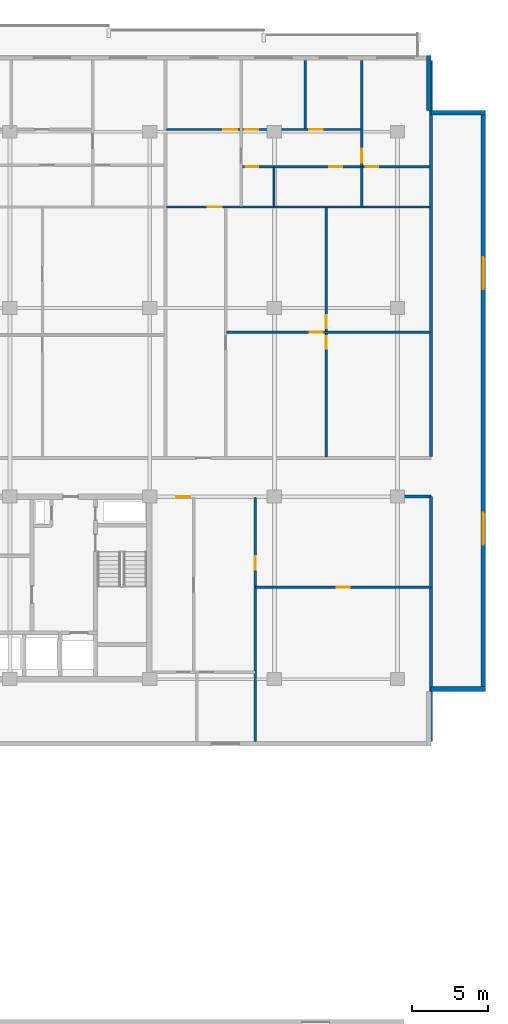
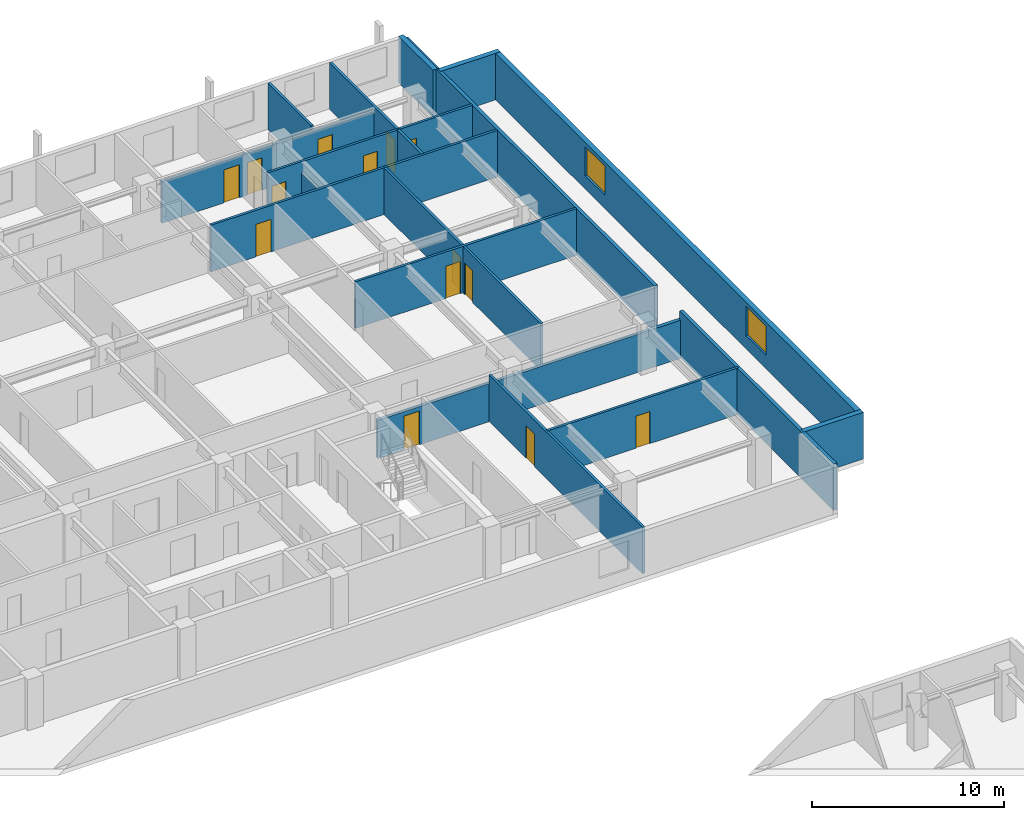
# One storey, part 16 of 22: 18 walls, 14 doors, 2 windows, 16 openings.
"""IFC4 building model written with IfcOpenShell, lengths in metres."""

from ifc_helpers import new_model, si_unit, direction, frame, frame_2d, origin, place, context, subcontext, project, spatial, rectangle, extrude, material, layer, layer_set, type_object, element, fill, save


model = new_model("IFC4")

# Units and contexts
model_context = context("Model", 3, precision=1e-05, world=origin(), true_north=direction((0.0, 1.0)))
body_context = subcontext(model_context, "Body", "Model", "MODEL_VIEW")
ifc_project = project(units=[si_unit("LENGTHUNIT", "METRE"), si_unit("AREAUNIT", "SQUARE_METRE"), si_unit("VOLUMEUNIT", "CUBIC_METRE"), si_unit("PLANEANGLEUNIT", "RADIAN"), si_unit("MASSUNIT", "GRAM", prefix="KILO")], contexts=[model_context])

# Site, building, storey
site_placement = place(None, origin())
site = spatial("IfcSite", under=ifc_project, at=site_placement, CompositionType="ELEMENT")
building_placement = place(site_placement, origin())
building = spatial("IfcBuilding", under=site, at=building_placement, Name="Korimba Cascade Residences", CompositionType="ELEMENT")
storey_placement = place(building_placement, frame((0.0, 0.0, 126.300048828125)))
storey = spatial("IfcBuildingStorey", under=building, at=storey_placement, Name="L36", CompositionType="ELEMENT", Elevation=126.300048828125)

# Wall
ifc_material_1 = material(Name="Precast concrete C40/50", Category="concrete")
ifc_layer_1 = layer(ifc_material_1, 0.300048828125)
ifc_layer_set_1 = layer_set([ifc_layer_1], Name="Precast concrete C40/50")
wall_type_1 = type_object("IfcWallType", Name="EW-STONE-300", PredefinedType="STANDARD", material=ifc_layer_set_1)
wall_1_placement = place(storey_placement, frame((130.60009765625, 54.550048828125, 0.0), z_axis=(0.0, 0.0, 1.0), x_axis=(1.0, 0.0, 0.0)))
element("IfcWall", 1, at=wall_1_placement, inside=storey, type_object=wall_type_1, Name="L36 T1 Perimeter Stone Wall E02", PredefinedType="STANDARD", context=body_context, shape_type="SweptSolid", body=[
    extrude(rectangle(XDim=3.599853515625, YDim=0.300048828125, at=frame_2d((1.7998046875, 0.0))), origin(), (0.0, 0.0, 1.0), 2.969970703125),
])

# Wall, openings, windows
wall_2_placement = place(storey_placement, frame((134.050048828125, 54.39990234375, 0.0), z_axis=(0.0, 0.0, 1.0), x_axis=(0.0, 1.0, 0.0)))
wall_2 = element("IfcWall", 2, at=wall_2_placement, inside=storey, type_object=wall_type_1, Name="L36 T1 Perimeter Stone Wall E03", PredefinedType="STANDARD", context=body_context, shape_type="SweptSolid", body=[
    extrude(rectangle(XDim=38.2001953125, YDim=0.300048828125, at=frame_2d((19.10009765625, 0.0))), origin(), (0.0, 0.0, 1.0), 2.969970703125),
])
opening_1_placement = place(wall_2_placement, frame((9.64599609375, 0.0, 0.85009765625)))
opening_1 = element("IfcOpeningElement", 3, at=opening_1_placement, cuts=wall_2, Name="Opening W-03", PredefinedType="OPENING", context=body_context, shape_type="SweptSolid", body=[
    extrude(rectangle(XDim=2.10009765625, YDim=1.85009765625, at=frame_2d((1.050048828125, 0.925048828125))), frame((0.0, 0.16015625, 0.0), z_axis=(0.0, -1.0, 0.0), x_axis=(1.0, 0.0, 0.0)), (0.0, 0.0, 1.0), 0.320068359375),
])
opening_2_placement = place(wall_2_placement, frame((26.4541015625, 0.0, 0.85009765625)))
opening_2 = element("IfcOpeningElement", 4, at=opening_2_placement, cuts=wall_2, Name="Opening W-03", PredefinedType="OPENING", context=body_context, shape_type="SweptSolid", body=[
    extrude(rectangle(XDim=2.10009765625, YDim=1.85009765625, at=frame_2d((1.050048828125, 0.925048828125))), frame((0.0, 0.16015625, 0.0), z_axis=(0.0, -1.0, 0.0), x_axis=(1.0, 0.0, 0.0)), (0.0, 0.0, 1.0), 0.320068359375),
])
ifc_material_2 = material(Name="Double-Glazed Aluminium Window", Category="aluminium")
window_type = type_object("IfcWindowType", Name="WIN-CRN-2100", PartitioningType="DOUBLE_PANEL_HORIZONTAL", PredefinedType="WINDOW", material=ifc_material_2)
window_1_placement = place(opening_1_placement, origin())
window_1 = element("IfcWindow", 5, at=window_1_placement, inside=storey, type_object=window_type, Name="L36 T1 End View Window 3.1", OverallHeight=1.85009765625, OverallWidth=2.10009765625, PartitioningType="DOUBLE_PANEL_HORIZONTAL", PredefinedType="WINDOW", context=body_context, shape_type="SweptSolid", body=[
    extrude(rectangle(XDim=2.10009765625, YDim=1.85009765625, at=frame_2d((1.050048828125, 0.925048828125))), frame((0.0, 0.030029296875, 0.0), z_axis=(0.0, -1.0, 0.0), x_axis=(1.0, 0.0, 0.0)), (0.0, 0.0, 1.0), 0.06005859375),
])
fill(opening_1, window_1)
window_2_placement = place(opening_2_placement, origin())
window_2 = element("IfcWindow", 6, at=window_2_placement, inside=storey, type_object=window_type, Name="L36 T1 End View Window 3.2", OverallHeight=1.85009765625, OverallWidth=2.10009765625, PartitioningType="DOUBLE_PANEL_HORIZONTAL", PredefinedType="WINDOW", context=body_context, shape_type="SweptSolid", body=[
    extrude(rectangle(XDim=2.10009765625, YDim=1.85009765625, at=frame_2d((1.050048828125, 0.925048828125))), frame((0.0, 0.030029296875, 0.0), z_axis=(0.0, -1.0, 0.0), x_axis=(1.0, 0.0, 0.0)), (0.0, 0.0, 1.0), 0.06005859375),
])
fill(opening_2, window_2)

# Walls
for number, where, z_axis, x_axis, name in (
    (7, (134.199951171875, 92.449951171875, 0.0), (0.0, 0.0, 1.0), (-1.0, 0.0, 0.0), "L36 T1 Perimeter Stone Wall E04"),
    (8, (130.449951171875, 92.60009765625, 0.0), (0.0, 0.0, 1.0), (0.0, 1.0, 0.0), "L36 T1 Perimeter Stone Wall E05"),
):
    element("IfcWall", number, at=place(storey_placement, frame(where, z_axis=z_axis, x_axis=x_axis)), inside=storey, type_object=wall_type_1, Name=name, PredefinedType="STANDARD", context=body_context, shape_type="SweptSolid", body=[
        extrude(rectangle(XDim=3.599853515625, YDim=0.300048828125, at=frame_2d((1.7998046875, 0.0))), origin(), (0.0, 0.0, 1.0), 2.969970703125),
    ])
ifc_layer_2 = layer(ifc_material_1, 0.199951171875)
ifc_layer_set_2 = layer_set([ifc_layer_2], Name="Precast concrete C40/50")
wall_type_2 = type_object("IfcWallType", Name="WAL-IT-200", PredefinedType="PARTITIONING", material=ifc_layer_set_2)
wall_3_placement = place(storey_placement, frame((130.60009765625, 51.10009765625, 0.0), z_axis=(0.0, 0.0, 1.0), x_axis=(0.0, 1.0, 0.0)))
element("IfcWall", 9, at=wall_3_placement, inside=storey, type_object=wall_type_2, Name="L36 Partition Wall WAL-L36-T1-FE-WR", PredefinedType="PARTITIONING", context=body_context, shape_type="SweptSolid", body=[
    extrude(rectangle(XDim=16.099853515625, YDim=0.199951171875, at=frame_2d((8.0498046875, 0.0))), origin(), (0.0, 0.0, 1.0), 2.969970703125),
])

# Wall, opening, door
wall_4_placement = place(storey_placement, frame((112.25, 67.199951171875, 0.0), z_axis=(0.0, 0.0, 1.0), x_axis=(1.0, 0.0, 0.0)))
wall_4 = element("IfcWall", 10, at=wall_4_placement, inside=storey, type_object=wall_type_2, Name="L36 Partition Wall WAL-L36-T1-FE-N", PredefinedType="PARTITIONING", context=body_context, shape_type="SweptSolid", body=[
    extrude(rectangle(XDim=18.35009765625, YDim=0.199951171875, at=frame_2d((9.175048828125, 0.0))), origin(), (0.0, 0.0, 1.0), 2.433349609375),
])
opening_3_placement = place(wall_4_placement, frame((1.580078125, 0.0, 0.0)))
opening_3 = element("IfcOpeningElement", 11, at=opening_3_placement, cuts=wall_4, Name="Opening D-UN1", PredefinedType="OPENING", context=body_context, shape_type="SweptSolid", body=[
    extrude(rectangle(XDim=0.949951171875, YDim=2.14990234375, at=frame_2d((0.47509765625, 1.074951171875))), frame((0.0, 0.10986328125, 0.0), z_axis=(0.0, -1.0, 0.0), x_axis=(1.0, 0.0, 0.0)), (0.0, 0.0, 1.0), 0.219970703125),
])
ifc_material_3 = material(Name="Fire-Rated Hardwood Apartment Entrance Door", Category="wood")
door_type_1 = type_object("IfcDoorType", Name="DR-FD60-950", OperationType="NOTDEFINED", PredefinedType="DOOR", material=ifc_material_3)
door_1_placement = place(opening_3_placement, origin())
door_1 = element("IfcDoor", 12, at=door_1_placement, inside=storey, type_object=door_type_1, Name="L36-T1-FE Entrance Door", OperationType="SINGLE_SWING_RIGHT", OverallHeight=2.14990234375, OverallWidth=0.949951171875, PredefinedType="DOOR", context=body_context, shape_type="SweptSolid", body=[
    extrude(rectangle(XDim=0.949951171875, YDim=2.14990234375, at=frame_2d((0.47509765625, 1.074951171875))), frame((0.0, 0.02490234375, 0.0), z_axis=(0.0, -1.0, 0.0), x_axis=(1.0, 0.0, 0.0)), (0.0, 0.0, 1.0), 0.050048828125),
])
fill(opening_3, door_1)

# Wall
wall_5_placement = place(storey_placement, frame((130.60009765625, 69.830078125, 0.0), z_axis=(0.0, 0.0, 1.0), x_axis=(0.0, 1.0, 0.0)))
element("IfcWall", 13, at=wall_5_placement, inside=storey, type_object=wall_type_2, Name="L36 Partition Wall WAL-L36-T1-BNDWR", PredefinedType="PARTITIONING", context=body_context, shape_type="SweptSolid", body=[
    extrude(rectangle(XDim=26.06982421875, YDim=0.199951171875, at=frame_2d((13.034912109375, 0.0))), origin(), (0.0, 0.0, 1.0), 2.969970703125),
])

# Wall, opening, door
ifc_material_4 = material(Name="Insulated Acoustic Stud Partition", Category="gypsum")
ifc_layer_3 = layer(ifc_material_4, 0.14990234375)
ifc_layer_set_3 = layer_set([ifc_layer_3], Name="Insulated Acoustic Stud Partition")
wall_type_3 = type_object("IfcWallType", Name="WAL-PART-150", PredefinedType="PARTITIONING", material=ifc_layer_set_3)
wall_6_placement = place(storey_placement, frame((119.050048828125, 61.25, 0.0), z_axis=(0.0, 0.0, 1.0), x_axis=(1.0, 0.0, 0.0)))
wall_6 = element("IfcWall", 14, at=wall_6_placement, inside=storey, type_object=wall_type_3, Name="L36 Partition Wall WAL-L36-T1-FE-STH", PredefinedType="PARTITIONING", context=body_context, shape_type="SweptSolid", body=[
    extrude(rectangle(XDim=11.550048828125, YDim=0.14990234375, at=frame_2d((5.77490234375, 0.0))), origin(), (0.0, 0.0, 1.0), 2.969970703125),
])
opening_4_placement = place(wall_6_placement, frame((5.35498046875, 0.0, 0.0)))
opening_4 = element("IfcOpeningElement", 15, at=opening_4_placement, cuts=wall_6, Name="Opening D-BT1", PredefinedType="OPENING", context=body_context, shape_type="SweptSolid", body=[
    extrude(rectangle(XDim=0.840087890625, YDim=2.0400390625, at=frame_2d((0.419921875, 1.02001953125))), frame((0.0, 0.0849609375, 0.0), z_axis=(0.0, -1.0, 0.0), x_axis=(1.0, 0.0, 0.0)), (0.0, 0.0, 1.0), 0.169921875),
])
ifc_material_5 = material(Name="Moisture-Resistant Bathroom Timber Door", Category="wood")
door_type_2 = type_object("IfcDoorType", Name="DR-INT-850", OperationType="NOTDEFINED", PredefinedType="DOOR", material=ifc_material_5)
door_2_placement = place(opening_4_placement, origin())
door_2 = element("IfcDoor", 16, at=door_2_placement, inside=storey, type_object=door_type_2, Name="L36-T1-FE Dressing Store Door", OperationType="SINGLE_SWING_LEFT", OverallHeight=2.0400390625, OverallWidth=0.840087890625, PredefinedType="DOOR", context=body_context, shape_type="SweptSolid", body=[
    extrude(rectangle(XDim=0.840087890625, YDim=2.0400390625, at=frame_2d((0.419921875, 1.02001953125))), frame((0.0, 0.02490234375, 0.0), z_axis=(0.0, -1.0, 0.0), x_axis=(1.0, 0.0, 0.0)), (0.0, 0.0, 1.0), 0.050048828125),
])
fill(opening_4, door_2)

wall_7_placement = place(storey_placement, frame((119.050048828125, 51.10009765625, 0.0), z_axis=(0.0, 0.0, 1.0), x_axis=(0.0, 1.0, 0.0)))
wall_7 = element("IfcWall", 17, at=wall_7_placement, inside=storey, type_object=wall_type_3, Name="L36 Partition Wall WAL-L36-T1-FE-STV", PredefinedType="PARTITIONING", context=body_context, shape_type="SweptSolid", body=[
    extrude(rectangle(XDim=16.0498046875, YDim=0.14990234375, at=frame_2d((8.02490234375, 0.0))), origin(), (0.0, 0.0, 1.0), 2.969970703125),
])
opening_5_placement = place(wall_7_placement, frame((11.300048828125, 0.0, 0.0)))
opening_5 = element("IfcOpeningElement", 18, at=opening_5_placement, cuts=wall_7, Name="Opening D-IN2", PredefinedType="OPENING", context=body_context, shape_type="SweptSolid", body=[
    extrude(rectangle(XDim=0.8798828125, YDim=2.06005859375, at=frame_2d((0.43994140625, 1.030029296875))), frame((0.0, 0.0849609375, 0.0), z_axis=(0.0, -1.0, 0.0), x_axis=(1.0, 0.0, 0.0)), (0.0, 0.0, 1.0), 0.169921875),
])
ifc_material_6 = material(Name="Acoustic Timber Bedroom Door", Category="wood")
door_type_3 = type_object("IfcDoorType", Name="DR-INT-880", OperationType="NOTDEFINED", PredefinedType="DOOR", material=ifc_material_6)
door_3_placement = place(opening_5_placement, origin())
door_3 = element("IfcDoor", 19, at=door_3_placement, inside=storey, type_object=door_type_3, Name="L36-T1-FE Study Door", OperationType="SINGLE_SWING_RIGHT", OverallHeight=2.06005859375, OverallWidth=0.8798828125, PredefinedType="DOOR", context=body_context, shape_type="SweptSolid", body=[
    extrude(rectangle(XDim=0.8798828125, YDim=2.06005859375, at=frame_2d((0.43994140625, 1.030029296875))), frame((0.0, 0.02490234375, 0.0), z_axis=(0.0, -1.0, 0.0), x_axis=(1.0, 0.0, 0.0)), (0.0, 0.0, 1.0), 0.050048828125),
])
fill(opening_5, door_3)

# Wall, openings, doors
wall_8_placement = place(storey_placement, frame((123.717529296875, 69.81005859375, 0.0), z_axis=(0.0, 0.0, 1.0), x_axis=(0.0, 1.0, 0.0)))
wall_8 = element("IfcWall", 20, at=wall_8_placement, inside=storey, type_object=wall_type_3, Name="L36 Partition Wall WAL-L36-T1-U04-FMV", PredefinedType="PARTITIONING", context=body_context, shape_type="SweptSolid", body=[
    extrude(rectangle(XDim=16.39990234375, YDim=0.14990234375, at=frame_2d((8.199951171875, 0.0))), origin(), (0.0, 0.0, 1.0), 2.969970703125),
])
opening_6_placement = place(wall_8_placement, frame((7.110107421875, 0.0, 0.0)))
opening_6 = element("IfcOpeningElement", 21, at=opening_6_placement, cuts=wall_8, Name="Opening D-BT1", PredefinedType="OPENING", context=body_context, shape_type="SweptSolid", body=[
    extrude(rectangle(XDim=0.840087890625, YDim=2.0400390625, at=frame_2d((0.419921875, 1.02001953125))), frame((0.0, 0.0849609375, 0.0), z_axis=(0.0, -1.0, 0.0), x_axis=(1.0, 0.0, 0.0)), (0.0, 0.0, 1.0), 0.169921875),
])
opening_7_placement = place(wall_8_placement, frame((8.449951171875, 0.0, 0.0)))
opening_7 = element("IfcOpeningElement", 22, at=opening_7_placement, cuts=wall_8, Name="Opening D-IN2", PredefinedType="OPENING", context=body_context, shape_type="SweptSolid", body=[
    extrude(rectangle(XDim=0.8798828125, YDim=2.06005859375, at=frame_2d((0.43994140625, 1.030029296875))), frame((0.0, 0.0849609375, 0.0), z_axis=(0.0, -1.0, 0.0), x_axis=(1.0, 0.0, 0.0)), (0.0, 0.0, 1.0), 0.169921875),
])
door_4_placement = place(opening_6_placement, origin())
door_4 = element("IfcDoor", 23, at=door_4_placement, inside=storey, type_object=door_type_2, Name="L36-T1-U04 Wardrobe Door", OperationType="SINGLE_SWING_RIGHT", OverallHeight=2.0400390625, OverallWidth=0.840087890625, PredefinedType="DOOR", context=body_context, shape_type="SweptSolid", body=[
    extrude(rectangle(XDim=0.840087890625, YDim=2.0400390625, at=frame_2d((0.419921875, 1.02001953125))), frame((0.0, 0.02490234375, 0.0), z_axis=(0.0, -1.0, 0.0), x_axis=(1.0, 0.0, 0.0)), (0.0, 0.0, 1.0), 0.050048828125),
])
fill(opening_6, door_4)
door_5_placement = place(opening_7_placement, origin())
door_5 = element("IfcDoor", 24, at=door_5_placement, inside=storey, type_object=door_type_3, Name="L36-T1-U04 Music Lounge Door", OperationType="SINGLE_SWING_LEFT", OverallHeight=2.06005859375, OverallWidth=0.8798828125, PredefinedType="DOOR", context=body_context, shape_type="SweptSolid", body=[
    extrude(rectangle(XDim=0.8798828125, YDim=2.06005859375, at=frame_2d((0.43994140625, 1.030029296875))), frame((0.0, 0.02490234375, 0.0), z_axis=(0.0, -1.0, 0.0), x_axis=(1.0, 0.0, 0.0)), (0.0, 0.0, 1.0), 0.050048828125),
])
fill(opening_7, door_5)

# Wall, opening, door
wall_9_placement = place(storey_placement, frame((117.155029296875, 78.010009765625, 0.0), z_axis=(0.0, 0.0, 1.0), x_axis=(1.0, 0.0, 0.0)))
wall_9 = element("IfcWall", 25, at=wall_9_placement, inside=storey, type_object=wall_type_3, Name="L36 Partition Wall WAL-L36-T1-U04-FMH", PredefinedType="PARTITIONING", context=body_context, shape_type="SweptSolid", body=[
    extrude(rectangle(XDim=13.364990234375, YDim=0.14990234375, at=frame_2d((6.6826171875, 0.0))), origin(), (0.0, 0.0, 1.0), 2.969970703125),
])
opening_8_placement = place(wall_9_placement, frame((5.46240234375, 0.0, 0.0)))
opening_8 = element("IfcOpeningElement", 26, at=opening_8_placement, cuts=wall_9, Name="Opening D-IN2", PredefinedType="OPENING", context=body_context, shape_type="SweptSolid", body=[
    extrude(rectangle(XDim=0.8798828125, YDim=2.06005859375, at=frame_2d((0.43994140625, 1.030029296875))), frame((0.0, 0.0849609375, 0.0), z_axis=(0.0, -1.0, 0.0), x_axis=(1.0, 0.0, 0.0)), (0.0, 0.0, 1.0), 0.169921875),
])
door_6_placement = place(opening_8_placement, origin())
door_6 = element("IfcDoor", 27, at=door_6_placement, inside=storey, type_object=door_type_3, Name="L36-T1-U04 Library Salon Door", OperationType="SINGLE_SWING_RIGHT", OverallHeight=2.06005859375, OverallWidth=0.8798828125, PredefinedType="DOOR", context=body_context, shape_type="SweptSolid", body=[
    extrude(rectangle(XDim=0.8798828125, YDim=2.06005859375, at=frame_2d((0.43994140625, 1.030029296875))), frame((0.0, 0.02490234375, 0.0), z_axis=(0.0, -1.0, 0.0), x_axis=(1.0, 0.0, 0.0)), (0.0, 0.0, 1.0), 0.050048828125),
])
fill(opening_8, door_6)

# Walls
wall_10_placement = place(storey_placement, frame((120.27490234375, 86.2900390625, 0.0), z_axis=(0.0, 0.0, 1.0), x_axis=(0.0, 1.0, 0.0)))
element("IfcWall", 28, at=wall_10_placement, inside=storey, type_object=wall_type_3, Name="L36 Partition Wall WAL-L36-T1-U04-VDRS", PredefinedType="PARTITIONING", context=body_context, shape_type="SweptSolid", body=[
    extrude(rectangle(XDim=2.580078125, YDim=0.14990234375, at=frame_2d((1.2900390625, 0.0))), origin(), (0.0, 0.0, 1.0), 2.277099609375),
])
wall_11_placement = place(storey_placement, frame((122.33740234375, 91.429931640625, 0.0), z_axis=(0.0, 0.0, 1.0), x_axis=(0.0, 1.0, 0.0)))
element("IfcWall", 29, at=wall_11_placement, inside=storey, type_object=wall_type_3, Name="L36 Partition Wall WAL-L36-T1-U04-VSTD", PredefinedType="PARTITIONING", context=body_context, shape_type="SweptSolid", body=[
    extrude(rectangle(XDim=4.469970703125, YDim=0.14990234375, at=frame_2d((2.23486328125, 0.0))), origin(), (0.0, 0.0, 1.0), 2.969970703125),
])
wall_12_placement = place(storey_placement, frame((126.050048828125, 86.2900390625, 0.0), z_axis=(0.0, 0.0, 1.0), x_axis=(0.0, 1.0, 0.0)))
element("IfcWall", 30, at=wall_12_placement, inside=storey, type_object=wall_type_3, Name="L36 Partition Wall WAL-L36-T1-U04-VBATH", PredefinedType="PARTITIONING", context=body_context, shape_type="SweptSolid", body=[
    extrude(rectangle(XDim=2.580078125, YDim=0.14990234375, at=frame_2d((1.2900390625, 0.0))), origin(), (0.0, 0.0, 1.0), 2.969970703125),
])

# Wall, opening, door
wall_13_placement = place(storey_placement, frame((126.050048828125, 88.909912109375, 0.0), z_axis=(0.0, 0.0, 1.0), x_axis=(0.0, 1.0, 0.0)))
wall_13 = element("IfcWall", 31, at=wall_13_placement, inside=storey, type_object=wall_type_3, Name="L36 Partition Wall WAL-L36-T1-U04-V2FULL", PredefinedType="PARTITIONING", context=body_context, shape_type="SweptSolid", body=[
    extrude(rectangle(XDim=6.989990234375, YDim=0.14990234375, at=frame_2d((3.4951171875, 0.0))), origin(), (0.0, 0.0, 1.0), 2.969970703125),
])
opening_9_placement = place(wall_13_placement, frame((0.260009765625, 0.0, 0.0)))
opening_9 = element("IfcOpeningElement", 32, at=opening_9_placement, cuts=wall_13, Name="Opening D-IN1", PredefinedType="OPENING", context=body_context, shape_type="SweptSolid", body=[
    extrude(rectangle(XDim=0.919921875, YDim=2.080078125, at=frame_2d((0.4599609375, 1.0400390625))), frame((0.0, 0.0849609375, 0.0), z_axis=(0.0, -1.0, 0.0), x_axis=(1.0, 0.0, 0.0)), (0.0, 0.0, 1.0), 0.169921875),
])
ifc_material_7 = material(Name="Acoustic Timber Living Door", Category="wood")
door_type_4 = type_object("IfcDoorType", Name="DR-INT-920", OperationType="NOTDEFINED", PredefinedType="DOOR", material=ifc_material_7)
door_7_placement = place(opening_9_placement, origin())
door_7 = element("IfcDoor", 33, at=door_7_placement, inside=storey, type_object=door_type_4, Name="L36-T1-U04 Master Bedroom Door", OperationType="SINGLE_SWING_LEFT", OverallHeight=2.080078125, OverallWidth=0.919921875, PredefinedType="DOOR", context=body_context, shape_type="SweptSolid", body=[
    extrude(rectangle(XDim=0.919921875, YDim=2.080078125, at=frame_2d((0.4599609375, 1.0400390625))), frame((0.0, 0.02490234375, 0.0), z_axis=(0.0, -1.0, 0.0), x_axis=(1.0, 0.0, 0.0)), (0.0, 0.0, 1.0), 0.050048828125),
])
fill(opening_9, door_7)

# Wall, openings, doors
wall_14_placement = place(storey_placement, frame((118.1650390625, 88.889892578125, 0.0), z_axis=(0.0, 0.0, 1.0), x_axis=(1.0, 0.0, 0.0)))
wall_14 = element("IfcWall", 34, at=wall_14_placement, inside=storey, type_object=wall_type_3, Name="L36 Partition Wall WAL-L36-T1-U04-HWALL", PredefinedType="PARTITIONING", context=body_context, shape_type="SweptSolid", body=[
    extrude(rectangle(XDim=12.35498046875, YDim=0.14990234375, at=frame_2d((6.177490234375, 0.0))), origin(), (0.0, 0.0, 1.0), 2.969970703125),
])
opening_10_placement = place(wall_14_placement, frame((0.25, 0.0, 0.0)))
opening_10 = element("IfcOpeningElement", 35, at=opening_10_placement, cuts=wall_14, Name="Opening D-BT1", PredefinedType="OPENING", context=body_context, shape_type="SweptSolid", body=[
    extrude(rectangle(XDim=0.840087890625, YDim=2.0400390625, at=frame_2d((0.419921875, 1.02001953125))), frame((0.0, 0.0849609375, 0.0), z_axis=(0.0, -1.0, 0.0), x_axis=(1.0, 0.0, 0.0)), (0.0, 0.0, 1.0), 0.169921875),
])
opening_11_placement = place(wall_14_placement, frame((5.757568359375, 0.0, 0.0)))
opening_11 = element("IfcOpeningElement", 36, at=opening_11_placement, cuts=wall_14, Name="Opening D-BT1", PredefinedType="OPENING", context=body_context, shape_type="SweptSolid", body=[
    extrude(rectangle(XDim=0.840087890625, YDim=2.0400390625, at=frame_2d((0.419921875, 1.02001953125))), frame((0.0, 0.0849609375, 0.0), z_axis=(0.0, -1.0, 0.0), x_axis=(1.0, 0.0, 0.0)), (0.0, 0.0, 1.0), 0.169921875),
])
opening_12_placement = place(wall_14_placement, frame((8.135009765625, 0.0, 0.0)))
opening_12 = element("IfcOpeningElement", 37, at=opening_12_placement, cuts=wall_14, Name="Opening D-BT1", PredefinedType="OPENING", context=body_context, shape_type="SweptSolid", body=[
    extrude(rectangle(XDim=0.840087890625, YDim=2.0400390625, at=frame_2d((0.419921875, 1.02001953125))), frame((0.0, 0.0849609375, 0.0), z_axis=(0.0, -1.0, 0.0), x_axis=(1.0, 0.0, 0.0)), (0.0, 0.0, 1.0), 0.169921875),
])
door_8_placement = place(opening_10_placement, origin())
door_8 = element("IfcDoor", 38, at=door_8_placement, inside=storey, type_object=door_type_2, Name="L36-T1-U04 Family Bathroom Door", OperationType="SINGLE_SWING_RIGHT", OverallHeight=2.0400390625, OverallWidth=0.840087890625, PredefinedType="DOOR", context=body_context, shape_type="SweptSolid", body=[
    extrude(rectangle(XDim=0.840087890625, YDim=2.0400390625, at=frame_2d((0.419921875, 1.02001953125))), frame((0.0, 0.02490234375, 0.0), z_axis=(0.0, -1.0, 0.0), x_axis=(1.0, 0.0, 0.0)), (0.0, 0.0, 1.0), 0.050048828125),
])
fill(opening_10, door_8)
door_9_placement = place(opening_11_placement, origin())
door_9 = element("IfcDoor", 39, at=door_9_placement, inside=storey, type_object=door_type_2, Name="L36-T1-U04 Dressing Room Door", OperationType="SINGLE_SWING_LEFT", OverallHeight=2.0400390625, OverallWidth=0.840087890625, PredefinedType="DOOR", context=body_context, shape_type="SweptSolid", body=[
    extrude(rectangle(XDim=0.840087890625, YDim=2.0400390625, at=frame_2d((0.419921875, 1.02001953125))), frame((0.0, 0.02490234375, 0.0), z_axis=(0.0, -1.0, 0.0), x_axis=(1.0, 0.0, 0.0)), (0.0, 0.0, 1.0), 0.050048828125),
])
fill(opening_11, door_9)
door_10_placement = place(opening_12_placement, origin())
door_10 = element("IfcDoor", 40, at=door_10_placement, inside=storey, type_object=door_type_2, Name="L36-T1-U04 En-Suite Door", OperationType="SINGLE_SWING_RIGHT", OverallHeight=2.0400390625, OverallWidth=0.840087890625, PredefinedType="DOOR", context=body_context, shape_type="SweptSolid", body=[
    extrude(rectangle(XDim=0.840087890625, YDim=2.0400390625, at=frame_2d((0.419921875, 1.02001953125))), frame((0.0, 0.02490234375, 0.0), z_axis=(0.0, -1.0, 0.0), x_axis=(1.0, 0.0, 0.0)), (0.0, 0.0, 1.0), 0.050048828125),
])
fill(opening_12, door_10)

# Wall, opening, door
wall_15_placement = place(storey_placement, frame((113.205078125, 86.25, 0.0), z_axis=(0.0, 0.0, 1.0), x_axis=(1.0, 0.0, 0.0)))
wall_15 = element("IfcWall", 41, at=wall_15_placement, inside=storey, type_object=wall_type_3, Name="L36 Partition Wall WAL-L36-T1-U04-MW", PredefinedType="PARTITIONING", context=body_context, shape_type="SweptSolid", body=[
    extrude(rectangle(XDim=17.31494140625, YDim=0.14990234375, at=frame_2d((8.657470703125, 0.0))), origin(), (0.0, 0.0, 1.0), 2.969970703125),
])
opening_13_placement = place(wall_15_placement, frame((2.719970703125, 0.0, 0.0)))
opening_13 = element("IfcOpeningElement", 42, at=opening_13_placement, cuts=wall_15, Name="Opening D-IN1", PredefinedType="OPENING", context=body_context, shape_type="SweptSolid", body=[
    extrude(rectangle(XDim=0.919921875, YDim=2.080078125, at=frame_2d((0.4599609375, 1.0400390625))), frame((0.0, 0.0849609375, 0.0), z_axis=(0.0, -1.0, 0.0), x_axis=(1.0, 0.0, 0.0)), (0.0, 0.0, 1.0), 0.169921875),
])
door_11_placement = place(opening_13_placement, origin())
door_11 = element("IfcDoor", 43, at=door_11_placement, inside=storey, type_object=door_type_4, Name="L36-T1-U04 Kitchen Door", OperationType="SINGLE_SWING_LEFT", OverallHeight=2.080078125, OverallWidth=0.919921875, PredefinedType="DOOR", context=body_context, shape_type="SweptSolid", body=[
    extrude(rectangle(XDim=0.919921875, YDim=2.080078125, at=frame_2d((0.4599609375, 1.0400390625))), frame((0.0, 0.02490234375, 0.0), z_axis=(0.0, -1.0, 0.0), x_axis=(1.0, 0.0, 0.0)), (0.0, 0.0, 1.0), 0.050048828125),
])
fill(opening_13, door_11)

# Wall, openings, doors
wall_16_placement = place(storey_placement, frame((113.205078125, 91.35009765625, 0.0), z_axis=(0.0, 0.0, 1.0), x_axis=(1.0, 0.0, 0.0)))
wall_16 = element("IfcWall", 44, at=wall_16_placement, inside=storey, type_object=wall_type_3, Name="L36 Partition Wall WAL-L36-T1-U04-HZ", PredefinedType="PARTITIONING", context=body_context, shape_type="SweptSolid", body=[
    extrude(rectangle(XDim=12.844970703125, YDim=0.14990234375, at=frame_2d((6.42236328125, 0.0))), origin(), (0.0, 0.0, 1.0), 2.663330078125),
])
opening_14_placement = place(wall_16_placement, frame((3.72998046875, 0.0, 0.0)))
opening_14 = element("IfcOpeningElement", 45, at=opening_14_placement, cuts=wall_16, Name="Opening D-IN0", PredefinedType="OPENING", context=body_context, shape_type="SweptSolid", body=[
    extrude(rectangle(XDim=0.93994140625, YDim=2.10009765625, at=frame_2d((0.469970703125, 1.050048828125))), frame((0.0, 0.0849609375, 0.0), z_axis=(0.0, -1.0, 0.0), x_axis=(1.0, 0.0, 0.0)), (0.0, 0.0, 1.0), 0.169921875),
])
opening_15_placement = place(wall_16_placement, frame((5.139892578125, 0.0, 0.0)))
opening_15 = element("IfcOpeningElement", 46, at=opening_15_placement, cuts=wall_16, Name="Opening D-IN2", PredefinedType="OPENING", context=body_context, shape_type="SweptSolid", body=[
    extrude(rectangle(XDim=0.8798828125, YDim=2.06005859375, at=frame_2d((0.43994140625, 1.030029296875))), frame((0.0, 0.0849609375, 0.0), z_axis=(0.0, -1.0, 0.0), x_axis=(1.0, 0.0, 0.0)), (0.0, 0.0, 1.0), 0.169921875),
])
opening_16_placement = place(wall_16_placement, frame((9.400390625, 0.0, 0.0)))
opening_16 = element("IfcOpeningElement", 47, at=opening_16_placement, cuts=wall_16, Name="Opening D-IN2", PredefinedType="OPENING", context=body_context, shape_type="SweptSolid", body=[
    extrude(rectangle(XDim=0.8798828125, YDim=2.06005859375, at=frame_2d((0.43994140625, 1.030029296875))), frame((0.0, 0.0849609375, 0.0), z_axis=(0.0, -1.0, 0.0), x_axis=(1.0, 0.0, 0.0)), (0.0, 0.0, 1.0), 0.169921875),
])
door_12_placement = place(opening_15_placement, origin())
door_12 = element("IfcDoor", 48, at=door_12_placement, inside=storey, type_object=door_type_3, Name="L36-T1-U04 Bedroom 2 Door", OperationType="SINGLE_SWING_LEFT", OverallHeight=2.06005859375, OverallWidth=0.8798828125, PredefinedType="DOOR", context=body_context, shape_type="SweptSolid", body=[
    extrude(rectangle(XDim=0.8798828125, YDim=2.06005859375, at=frame_2d((0.43994140625, 1.030029296875))), frame((0.0, 0.02490234375, 0.0), z_axis=(0.0, -1.0, 0.0), x_axis=(1.0, 0.0, 0.0)), (0.0, 0.0, 1.0), 0.050048828125),
])
fill(opening_15, door_12)
door_13_placement = place(opening_16_placement, origin())
door_13 = element("IfcDoor", 49, at=door_13_placement, inside=storey, type_object=door_type_3, Name="L36-T1-U04 Study Door", OperationType="SINGLE_SWING_RIGHT", OverallHeight=2.06005859375, OverallWidth=0.8798828125, PredefinedType="DOOR", context=body_context, shape_type="SweptSolid", body=[
    extrude(rectangle(XDim=0.8798828125, YDim=2.06005859375, at=frame_2d((0.43994140625, 1.030029296875))), frame((0.0, 0.02490234375, 0.0), z_axis=(0.0, -1.0, 0.0), x_axis=(1.0, 0.0, 0.0)), (0.0, 0.0, 1.0), 0.050048828125),
])
fill(opening_16, door_13)
ifc_material_8 = material(Name="Acoustic Timber Living Archway Door", Category="wood")
door_type_5 = type_object("IfcDoorType", Name="DR-INT-950", OperationType="NOTDEFINED", PredefinedType="DOOR", material=ifc_material_8)
door_14_placement = place(opening_14_placement, origin())
door_14 = element("IfcDoor", 50, at=door_14_placement, inside=storey, type_object=door_type_5, Name="L36-T1-U04 Living Room Door", OperationType="SINGLE_SWING_RIGHT", OverallHeight=2.10009765625, OverallWidth=0.93994140625, PredefinedType="DOOR", context=body_context, shape_type="SweptSolid", body=[
    extrude(rectangle(XDim=0.93994140625, YDim=2.10009765625, at=frame_2d((0.469970703125, 1.050048828125))), frame((0.0, 0.02490234375, 0.0), z_axis=(0.0, -1.0, 0.0), x_axis=(1.0, 0.0, 0.0)), (0.0, 0.0, 1.0), 0.050048828125),
])
fill(opening_14, door_14)

save(model, "model.ifc")
